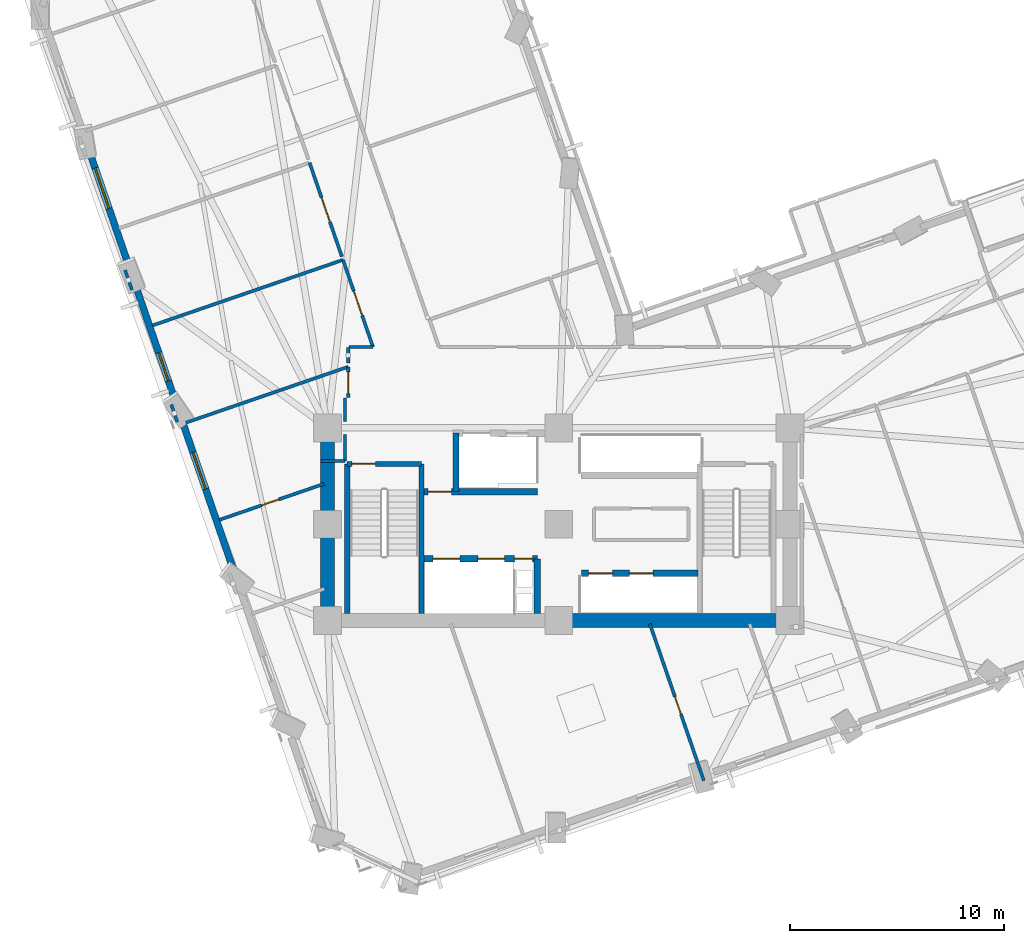
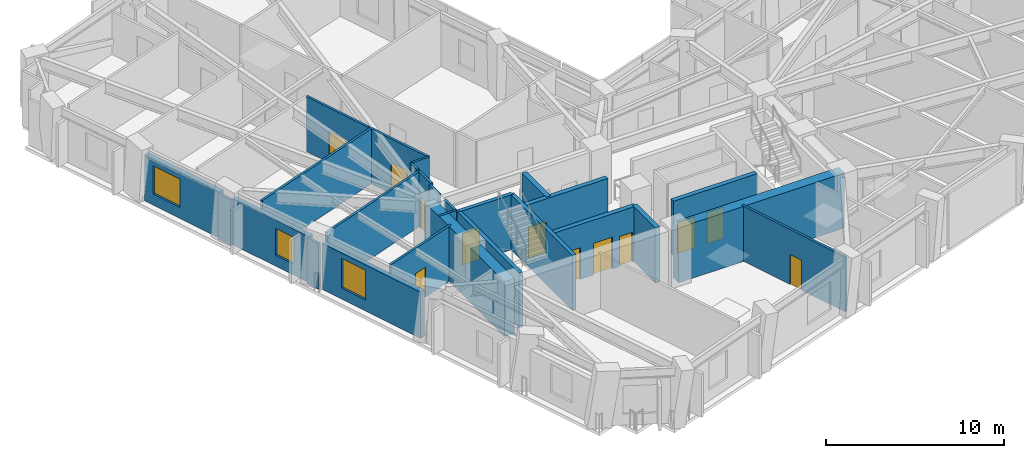
# One storey, part 7 of 15: 27 walls, 12 doors, 3 windows, 15 openings.
"""IFC4 building model written with IfcOpenShell, lengths in metres."""

from ifc_helpers import new_model, si_unit, direction, frame, frame_2d, origin, place, context, subcontext, project, spatial, rectangle, extrude, material, layer, layer_set, type_object, element, fill, save


model = new_model("IFC4")

# Units and contexts
model_context = context("Model", 3, precision=1e-05, world=origin(), true_north=direction((0.0, 1.0)))
body_context = subcontext(model_context, "Body", "Model", "MODEL_VIEW")
ifc_project = project(units=[si_unit("LENGTHUNIT", "METRE"), si_unit("AREAUNIT", "SQUARE_METRE"), si_unit("VOLUMEUNIT", "CUBIC_METRE"), si_unit("PLANEANGLEUNIT", "RADIAN"), si_unit("MASSUNIT", "GRAM", prefix="KILO")], contexts=[model_context])

# Site, building, storey
site_placement = place(None, origin())
site = spatial("IfcSite", under=ifc_project, at=site_placement, CompositionType="ELEMENT")
building_placement = place(site_placement, origin())
building = spatial("IfcBuilding", under=site, at=building_placement, Name="Gaonmaruhae Medical Tower", CompositionType="ELEMENT")
storey_placement = place(building_placement, frame((0.0, 0.0, 104.39990234375)))
storey = spatial("IfcBuildingStorey", under=building, at=storey_placement, Name="L24", CompositionType="ELEMENT", Elevation=104.39990234375)

# Walls
ifc_material_1 = material(Name="Concrete C60/75", Category="concrete")
ifc_layer_1 = layer(ifc_material_1, 0.64990234375)
ifc_layer_set_1 = layer_set([ifc_layer_1], Name="Concrete C60/75")
wall_type_1 = type_object("IfcWallType", Name="CW-650 Zone 2 Core Shear Wall", PredefinedType="SHEAR", material=ifc_layer_set_1)
wall_1_placement = place(storey_placement, frame((24.800048828125, 7.800048828125, 0.0), z_axis=(0.0, 0.0, 1.0), x_axis=(1.0, 0.0, 0.0)))
element("IfcWall", 1, at=wall_1_placement, inside=storey, type_object=wall_type_1, Name="L24 Core Shear Wall CSW-S2", PredefinedType="SHEAR", context=body_context, shape_type="SweptSolid", body=[
    extrude(rectangle(XDim=10.800048828125, YDim=0.64990234375, at=frame_2d((5.39990234375, 0.0))), origin(), (0.0, 0.0, 1.0), 3.780029296875),
])
wall_2_placement = place(storey_placement, frame((14.0, 16.800048828125, 0.0), z_axis=(0.0, 0.0, 1.0), x_axis=(0.0, -1.0, 0.0)))
element("IfcWall", 2, at=wall_2_placement, inside=storey, type_object=wall_type_1, Name="L24 Core Shear Wall CSW-W1", PredefinedType="SHEAR", context=body_context, shape_type="SweptSolid", body=[
    extrude(rectangle(XDim=9.0, YDim=0.64990234375, at=frame_2d((4.5, 0.0))), origin(), (0.0, 0.0, 1.0), 3.780029296875),
])

# Wall, opening, window
ifc_material_2 = material(Name="Precast concrete C45/55", Category="concrete")
ifc_layer_2 = layer(ifc_material_2, 0.320068359375)
ifc_layer_set_2 = layer_set([ifc_layer_2], Name="Precast concrete C45/55")
wall_type_2 = type_object("IfcWallType", Name="EW-320 Lower Precast Masonry-Frame Facade Wall", PredefinedType="SOLIDWALL", material=ifc_layer_set_2)
wall_3_placement = place(storey_placement, frame((4.760009765625, 24.243408203125, 0.0), z_axis=(0.0, 0.0, 1.0), x_axis=(-0.325569525051, 0.945518103665, 0.0)))
wall_3 = element("IfcWall", 3, at=wall_3_placement, inside=storey, type_object=wall_type_2, Name="L24 Precast Masonry-Frame Wall W02-W03", PredefinedType="SOLIDWALL", context=body_context, shape_type="SweptSolid", body=[
    extrude(rectangle(XDim=5.6279296875, YDim=0.320068359375, at=frame_2d((2.81396484375, 0.0))), origin(), (0.0, 0.0, 1.0), 3.1650390625),
])
opening_1_placement = place(wall_3_placement, frame((2.96337890625, 0.0, 0.75)))
opening_1 = element("IfcOpeningElement", 4, at=opening_1_placement, cuts=wall_3, Name="Opening WN-02", PredefinedType="OPENING", context=body_context, shape_type="SweptSolid", body=[
    extrude(rectangle(XDim=2.0, YDim=1.949951171875, at=frame_2d((1.0, 0.97509765625))), frame((0.0, 0.169921875, 0.0), z_axis=(0.0, -1.0, 0.0), x_axis=(1.0, 0.0, 0.0)), (0.0, 0.0, 1.0), 0.340087890625),
])
ifc_material_3 = material(Name="Anodised aluminium and Low-E double glazing", Category="aluminium")
window_type_1 = type_object("IfcWindowType", Name="WN-02 Double-Bed Ward Punched Window 2000x1950", PartitioningType="SINGLE_PANEL", PredefinedType="WINDOW", material=ifc_material_3)
window_1_placement = place(opening_1_placement, origin())
window_1 = element("IfcWindow", 5, at=window_1_placement, inside=storey, type_object=window_type_1, Name="L24 Modular Facade Window W02", OverallHeight=1.949951171875, OverallWidth=2.0, PartitioningType="SINGLE_PANEL", PredefinedType="WINDOW", context=body_context, shape_type="SweptSolid", body=[
    extrude(rectangle(XDim=2.0, YDim=1.949951171875, at=frame_2d((1.0, 0.97509765625))), frame((0.0, 0.030029296875, 0.0), z_axis=(0.0, -1.0, 0.0), x_axis=(1.0, 0.0, 0.0)), (0.0, 0.0, 1.0), 0.06005859375),
])
fill(opening_1, window_1)

wall_4_placement = place(storey_placement, frame((6.92333984375, 17.960693359375, 0.0), z_axis=(0.0, 0.0, 1.0), x_axis=(-0.325590670388, 0.945510822443, 0.0)))
wall_4 = element("IfcWall", 6, at=wall_4_placement, inside=storey, type_object=wall_type_2, Name="L24 Precast Masonry-Frame Wall W03-W04", PredefinedType="SOLIDWALL", context=body_context, shape_type="SweptSolid", body=[
    extrude(rectangle(XDim=5.662109375, YDim=0.320068359375, at=frame_2d((2.8310546875, 0.0))), origin(), (0.0, 0.0, 1.0), 3.1650390625),
])
opening_2_placement = place(wall_4_placement, frame((1.0859375, 0.0, 0.75)))
opening_2 = element("IfcOpeningElement", 7, at=opening_2_placement, cuts=wall_4, Name="Opening WN-03", PredefinedType="OPENING", context=body_context, shape_type="SweptSolid", body=[
    extrude(rectangle(XDim=1.39990234375, YDim=1.85009765625, at=frame_2d((0.699951171875, 0.925048828125))), frame((0.0, 0.169921875, 0.0), z_axis=(0.0, -1.0, 0.0), x_axis=(1.0, 0.0, 0.0)), (0.0, 0.0, 1.0), 0.340087890625),
])
window_type_2 = type_object("IfcWindowType", Name="WN-03 Isolation Ward Punched Window 1400x1850", PartitioningType="SINGLE_PANEL", PredefinedType="WINDOW", material=ifc_material_3)
window_2_placement = place(opening_2_placement, origin())
window_2 = element("IfcWindow", 8, at=window_2_placement, inside=storey, type_object=window_type_2, Name="L24 Modular Facade Window W03", OverallHeight=1.85009765625, OverallWidth=1.39990234375, PartitioningType="SINGLE_PANEL", PredefinedType="WINDOW", context=body_context, shape_type="SweptSolid", body=[
    extrude(rectangle(XDim=1.39990234375, YDim=1.85009765625, at=frame_2d((0.699951171875, 0.925048828125))), frame((0.0, 0.030029296875, 0.0), z_axis=(0.0, -1.0, 0.0), x_axis=(1.0, 0.0, 0.0)), (0.0, 0.0, 1.0), 0.06005859375),
])
fill(opening_2, window_2)

wall_5_placement = place(storey_placement, frame((9.642578125, 10.0634765625, 0.0), z_axis=(0.0, 0.0, 1.0), x_axis=(-0.325566416209, 0.945519174124, 0.0)))
wall_5 = element("IfcWall", 9, at=wall_5_placement, inside=storey, type_object=wall_type_2, Name="L24 Precast Masonry-Frame Wall W04-W05", PredefinedType="SOLIDWALL", context=body_context, shape_type="SweptSolid", body=[
    extrude(rectangle(XDim=7.360107421875, YDim=0.320068359375, at=frame_2d((3.68017578125, 0.0))), origin(), (0.0, 0.0, 1.0), 3.1650390625),
])
opening_3_placement = place(wall_5_placement, frame((4.114013671875, 0.0, 0.75)))
opening_3 = element("IfcOpeningElement", 10, at=opening_3_placement, cuts=wall_5, Name="Opening WN-04", PredefinedType="OPENING", context=body_context, shape_type="SweptSolid", body=[
    extrude(rectangle(XDim=1.800048828125, YDim=2.050048828125, at=frame_2d((0.89990234375, 1.02490234375))), frame((0.0, 0.169921875, 0.0), z_axis=(0.0, -1.0, 0.0), x_axis=(1.0, 0.0, 0.0)), (0.0, 0.0, 1.0), 0.340087890625),
])
window_type_3 = type_object("IfcWindowType", Name="WN-04 Clinic & Consult Punched Window 1800x2050", PartitioningType="SINGLE_PANEL", PredefinedType="WINDOW", material=ifc_material_3)
window_3_placement = place(opening_3_placement, origin())
window_3 = element("IfcWindow", 11, at=window_3_placement, inside=storey, type_object=window_type_3, Name="L24 Modular Facade Window W04", OverallHeight=2.050048828125, OverallWidth=1.800048828125, PartitioningType="SINGLE_PANEL", PredefinedType="WINDOW", context=body_context, shape_type="SweptSolid", body=[
    extrude(rectangle(XDim=1.800048828125, YDim=2.050048828125, at=frame_2d((0.89990234375, 1.02490234375))), frame((0.0, 0.030029296875, 0.0), z_axis=(0.0, -1.0, 0.0), x_axis=(1.0, 0.0, 0.0)), (0.0, 0.0, 1.0), 0.06005859375),
])
fill(opening_3, window_3)

# Wall, opening, door
ifc_material_4 = material(Name="Gypsum board partition", Category="gypsum")
ifc_layer_3 = layer(ifc_material_4, 0.14990234375)
ifc_layer_set_3 = layer_set([ifc_layer_3], Name="Gypsum board partition")
wall_type_3 = type_object("IfcWallType", Name="PW-150 Rated Clinical Corridor Partition", PredefinedType="PARTITIONING", material=ifc_layer_set_3)
wall_6_placement = place(storey_placement, frame((29.051025390625, 7.64892578125, 0.0), z_axis=(0.0, 0.0, 1.0), x_axis=(0.325547594616, -0.94552565467, 0.0)))
wall_6 = element("IfcWall", 12, at=wall_6_placement, inside=storey, type_object=wall_type_3, Name="L24 Interior Partition L24-SUP04-9", PredefinedType="PARTITIONING", context=body_context, shape_type="SweptSolid", body=[
    extrude(rectangle(XDim=7.743896484375, YDim=0.14990234375, at=frame_2d((3.8720703125, 0.0))), origin(), (0.0, 0.0, 1.0), 3.780029296875),
])
opening_4_placement = place(wall_6_placement, frame((3.6005859375, 0.0, 0.0)))
opening_4 = element("IfcOpeningElement", 13, at=opening_4_placement, cuts=wall_6, Name="Opening AD-01", PredefinedType="OPENING", context=body_context, shape_type="SweptSolid", body=[
    extrude(rectangle(XDim=0.860107421875, YDim=2.06005859375, at=frame_2d((0.43017578125, 1.030029296875))), frame((0.0, 0.0849609375, 0.0), z_axis=(0.0, -1.0, 0.0), x_axis=(1.0, 0.0, 0.0)), (0.0, 0.0, 1.0), 0.169921875),
])
ifc_material_5 = material(Name="Powder-coated steel access door", Category="steel")
door_type_1 = type_object("IfcDoorType", Name="AD-01 Riser & Closet Access Fire Door 860x2060", OperationType="NOTDEFINED", PredefinedType="DOOR", material=ifc_material_5)
door_1_placement = place(opening_4_placement, origin())
door_1 = element("IfcDoor", 14, at=door_1_placement, inside=storey, type_object=door_type_1, Name="L24 Clinical Biomedical Charting Office Sliding Door", OperationType="SLIDING_TO_LEFT", OverallHeight=2.06005859375, OverallWidth=0.860107421875, PredefinedType="DOOR", context=body_context, shape_type="SweptSolid", body=[
    extrude(rectangle(XDim=0.860107421875, YDim=2.06005859375, at=frame_2d((0.43017578125, 1.030029296875))), frame((0.0, 0.02490234375, 0.0), z_axis=(0.0, -1.0, 0.0), x_axis=(1.0, 0.0, 0.0)), (0.0, 0.0, 1.0), 0.050048828125),
])
fill(opening_4, door_1)

wall_7_placement = place(storey_placement, frame((8.945068359375, 12.5029296875, 0.0), z_axis=(0.0, 0.0, 1.0), x_axis=(0.945554923034, 0.325462574693, 0.0)))
wall_7 = element("IfcWall", 15, at=wall_7_placement, inside=storey, type_object=wall_type_3, Name="L24 Interior Partition L24-WOF12-34", PredefinedType="PARTITIONING", context=body_context, shape_type="SweptSolid", body=[
    extrude(rectangle(XDim=5.1865234375, YDim=0.14990234375, at=frame_2d((2.59326171875, 0.0))), origin(), (0.0, 0.0, 1.0), 3.780029296875),
])
opening_5_placement = place(wall_7_placement, frame((2.08447265625, 0.0, 0.0)))
opening_5 = element("IfcOpeningElement", 16, at=opening_5_placement, cuts=wall_7, Name="Opening AD-01", PredefinedType="OPENING", context=body_context, shape_type="SweptSolid", body=[
    extrude(rectangle(XDim=0.860107421875, YDim=2.06005859375, at=frame_2d((0.43017578125, 1.030029296875))), frame((0.0, 0.0849609375, 0.0), z_axis=(0.0, -1.0, 0.0), x_axis=(1.0, 0.0, 0.0)), (0.0, 0.0, 1.0), 0.169921875),
])
door_2_placement = place(opening_5_placement, origin())
door_2 = element("IfcDoor", 17, at=door_2_placement, inside=storey, type_object=door_type_1, Name="L24 Ward Physician Reporting Office Sliding Door", OperationType="SLIDING_TO_LEFT", OverallHeight=2.06005859375, OverallWidth=0.860107421875, PredefinedType="DOOR", context=body_context, shape_type="SweptSolid", body=[
    extrude(rectangle(XDim=0.860107421875, YDim=2.06005859375, at=frame_2d((0.43017578125, 1.030029296875))), frame((0.0, 0.02490234375, 0.0), z_axis=(0.0, -1.0, 0.0), x_axis=(1.0, 0.0, 0.0)), (0.0, 0.0, 1.0), 0.050048828125),
])
fill(opening_5, door_2)

# Walls
wall_8_placement = place(storey_placement, frame((14.820068359375, 18.199951171875, 0.0), z_axis=(0.0, 0.0, 1.0), x_axis=(0.0, -1.0, 0.0)))
element("IfcWall", 18, at=wall_8_placement, inside=storey, type_object=wall_type_3, Name="L24 Interior Partition L24-WCL13-36", PredefinedType="PARTITIONING", context=body_context, shape_type="SweptSolid", body=[
    extrude(rectangle(XDim=1.091064453125, YDim=0.14990234375, at=frame_2d((0.54541015625, 0.0))), origin(), (0.0, 0.0, 1.0), 3.780029296875),
])
wall_9_placement = place(storey_placement, frame((14.820068359375, 16.490966796875, 0.0), z_axis=(0.0, 0.0, 1.0), x_axis=(0.0, -1.0, 0.0)))
element("IfcWall", 19, at=wall_9_placement, inside=storey, type_object=wall_type_3, Name="L24 Interior Partition L24-WCL13-37", PredefinedType="PARTITIONING", context=body_context, shape_type="SweptSolid", body=[
    extrude(rectangle(XDim=1.23095703125, YDim=0.14990234375, at=frame_2d((0.615478515625, 0.0))), origin(), (0.0, 0.0, 1.0), 3.780029296875),
])
wall_10_placement = place(storey_placement, frame((14.820068359375, 15.260009765625, 0.0), z_axis=(0.0, 0.0, 1.0), x_axis=(-1.0, 0.0, 0.0)))
element("IfcWall", 20, at=wall_10_placement, inside=storey, type_object=wall_type_3, Name="L24 Interior Partition L24-WCL13-38", PredefinedType="PARTITIONING", context=body_context, shape_type="SweptSolid", body=[
    extrude(rectangle(XDim=1.1201171875, YDim=0.14990234375, at=frame_2d((0.56005859375, 0.0))), origin(), (0.0, 0.0, 1.0), 3.780029296875),
])
wall_11_placement = place(storey_placement, frame((7.382080078125, 17.0419921875, 0.0), z_axis=(0.0, 0.0, 1.0), x_axis=(0.945543879327, 0.325494657816, 0.0)))
element("IfcWall", 21, at=wall_11_placement, inside=storey, type_object=wall_type_3, Name="L24 Interior Partition L24-WCL13-39", PredefinedType="PARTITIONING", context=body_context, shape_type="SweptSolid", body=[
    extrude(rectangle(XDim=8.02490234375, YDim=0.14990234375, at=frame_2d((4.012451171875, 0.0))), origin(), (0.0, 0.0, 1.0), 3.780029296875),
])

# Wall, opening, door
wall_12_placement = place(storey_placement, frame((14.969970703125, 19.654052734375, 0.0), z_axis=(0.0, 0.0, 1.0), x_axis=(0.0, -1.0, 0.0)))
wall_12 = element("IfcWall", 22, at=wall_12_placement, inside=storey, type_object=wall_type_3, Name="L24 Interior Partition L24-WCL13-40", PredefinedType="PARTITIONING", context=body_context, shape_type="SweptSolid", body=[
    extrude(rectangle(XDim=1.424072265625, YDim=0.14990234375, at=frame_2d((0.7119140625, 0.0))), origin(), (0.0, 0.0, 1.0), 3.780029296875),
])
opening_6_placement = place(wall_12_placement, frame((0.243896484375, 0.0, 0.0)))
opening_6 = element("IfcOpeningElement", 23, at=opening_6_placement, cuts=wall_12, Name="Opening CD-01", PredefinedType="OPENING", context=body_context, shape_type="SweptSolid", body=[
    extrude(rectangle(XDim=1.0, YDim=2.1201171875, at=frame_2d((0.5, 1.06005859375))), frame((0.0, 0.0849609375, 0.0), z_axis=(0.0, -1.0, 0.0), x_axis=(1.0, 0.0, 0.0)), (0.0, 0.0, 1.0), 0.169921875),
])
ifc_material_6 = material(Name="Antimicrobial laminate timber fire door", Category="wood")
door_type_2 = type_object("IfcDoorType", Name="CD-01 Consultation & Physician Office Door 1000x2120", OperationType="NOTDEFINED", PredefinedType="DOOR", material=ifc_material_6)
door_3_placement = place(opening_6_placement, origin())
door_3 = element("IfcDoor", 24, at=door_3_placement, inside=storey, type_object=door_type_2, Name="L24 Specialist Consultation Office Sliding Door", OperationType="SLIDING_TO_LEFT", OverallHeight=2.1201171875, OverallWidth=1.0, PredefinedType="DOOR", context=body_context, shape_type="SweptSolid", body=[
    extrude(rectangle(XDim=1.0, YDim=2.1201171875, at=frame_2d((0.5, 1.06005859375))), frame((0.0, 0.02490234375, 0.0), z_axis=(0.0, -1.0, 0.0), x_axis=(1.0, 0.0, 0.0)), (0.0, 0.0, 1.0), 0.050048828125),
])
fill(opening_6, door_3)

# Walls
wall_13_placement = place(storey_placement, frame((14.969970703125, 20.550048828125, 0.0), z_axis=(0.0, 0.0, 1.0), x_axis=(0.0, -1.0, 0.0)))
element("IfcWall", 25, at=wall_13_placement, inside=storey, type_object=wall_type_3, Name="L24 Interior Partition L24-WOF14-41", PredefinedType="PARTITIONING", context=body_context, shape_type="SweptSolid", body=[
    extrude(rectangle(XDim=0.72607421875, YDim=0.14990234375, at=frame_2d((0.363037109375, 0.0))), origin(), (0.0, 0.0, 1.0), 3.780029296875),
])
wall_14_placement = place(storey_placement, frame((6.985107421875, 17.073974609375, 0.0), z_axis=(0.0, 0.0, 1.0), x_axis=(-0.32500030124, 0.945713912446, 0.0)))
element("IfcWall", 26, at=wall_14_placement, inside=storey, type_object=wall_type_3, Name="L24 Interior Partition L24-WOF14-42", PredefinedType="PARTITIONING", context=body_context, shape_type="SweptSolid", body=[
    extrude(rectangle(XDim=0.858642578125, YDim=0.14990234375, at=frame_2d((0.42919921875, 0.0))), origin(), (0.0, 0.0, 1.0), 3.1650390625),
])
wall_15_placement = place(storey_placement, frame((5.820068359375, 21.580078125, 0.0), z_axis=(0.0, 0.0, 1.0), x_axis=(0.945525547677, 0.325547905368, 0.0)))
element("IfcWall", 27, at=wall_15_placement, inside=storey, type_object=wall_type_3, Name="L24 Interior Partition L24-WOF14-43", PredefinedType="PARTITIONING", context=body_context, shape_type="SweptSolid", body=[
    extrude(rectangle(XDim=9.414794921875, YDim=0.14990234375, at=frame_2d((4.70751953125, 0.0))), origin(), (0.0, 0.0, 1.0), 3.780029296875),
])

# Wall, opening, door
wall_16_placement = place(storey_placement, frame((14.721923828125, 24.64501953125, 0.0), z_axis=(0.0, 0.0, 1.0), x_axis=(0.325666906351, -0.945484566827, 0.0)))
wall_16 = element("IfcWall", 28, at=wall_16_placement, inside=storey, type_object=wall_type_3, Name="L24 Interior Partition L24-WOF14-44", PredefinedType="PARTITIONING", context=body_context, shape_type="SweptSolid", body=[
    extrude(rectangle(XDim=4.29931640625, YDim=0.14990234375, at=frame_2d((2.149658203125, 0.0))), origin(), (0.0, 0.0, 1.0), 3.780029296875),
])
opening_7_placement = place(wall_16_placement, frame((1.5498046875, 0.0, 0.0)))
opening_7 = element("IfcOpeningElement", 29, at=opening_7_placement, cuts=wall_16, Name="Opening CD-02", PredefinedType="OPENING", context=body_context, shape_type="SweptSolid", body=[
    extrude(rectangle(XDim=1.199951171875, YDim=2.14990234375, at=frame_2d((0.60009765625, 1.074951171875))), frame((0.0, 0.0849609375, 0.0), z_axis=(0.0, -1.0, 0.0), x_axis=(1.0, 0.0, 0.0)), (0.0, 0.0, 1.0), 0.169921875),
])
door_type_3 = type_object("IfcDoorType", Name="CD-02 Clinical Treatment & Procedure Door 1200x2150", OperationType="NOTDEFINED", PredefinedType="DOOR", material=ifc_material_6)
door_4_placement = place(opening_7_placement, origin())
door_4 = element("IfcDoor", 30, at=door_4_placement, inside=storey, type_object=door_type_3, Name="L24 Ward Physician Reporting Office Door", OperationType="SINGLE_SWING_LEFT", OverallHeight=2.14990234375, OverallWidth=1.199951171875, PredefinedType="DOOR", context=body_context, shape_type="SweptSolid", body=[
    extrude(rectangle(XDim=1.199951171875, YDim=2.14990234375, at=frame_2d((0.60009765625, 1.074951171875))), frame((0.0, 0.02490234375, 0.0), z_axis=(0.0, -1.0, 0.0), x_axis=(1.0, 0.0, 0.0)), (0.0, 0.0, 1.0), 0.050048828125),
])
fill(opening_7, door_4)

# Wall
wall_17_placement = place(storey_placement, frame((16.1220703125, 20.580078125, 0.0), z_axis=(0.0, 0.0, 1.0), x_axis=(-1.0, 0.0, 0.0)))
element("IfcWall", 31, at=wall_17_placement, inside=storey, type_object=wall_type_3, Name="L24 Interior Partition L24-WOF14-45", PredefinedType="PARTITIONING", context=body_context, shape_type="SweptSolid", body=[
    extrude(rectangle(XDim=1.125, YDim=0.14990234375, at=frame_2d((0.5625, 0.0))), origin(), (0.0, 0.0, 1.0), 3.780029296875),
])

# Wall, opening, door
wall_18_placement = place(storey_placement, frame((13.158935546875, 29.18408203125, 0.0), z_axis=(0.0, 0.0, 1.0), x_axis=(0.325651749866, -0.945489787258, 0.0)))
wall_18 = element("IfcWall", 32, at=wall_18_placement, inside=storey, type_object=wall_type_3, Name="L24 Interior Partition L24-WOF15-47", PredefinedType="PARTITIONING", context=body_context, shape_type="SweptSolid", body=[
    extrude(rectangle(XDim=4.639892578125, YDim=0.14990234375, at=frame_2d((2.31982421875, 0.0))), origin(), (0.0, 0.0, 1.0), 3.780029296875),
])
opening_8_placement = place(wall_18_placement, frame((1.719970703125, 0.0, 0.0)))
opening_8 = element("IfcOpeningElement", 33, at=opening_8_placement, cuts=wall_18, Name="Opening CD-02", PredefinedType="OPENING", context=body_context, shape_type="SweptSolid", body=[
    extrude(rectangle(XDim=1.199951171875, YDim=2.14990234375, at=frame_2d((0.60009765625, 1.074951171875))), frame((0.0, 0.0849609375, 0.0), z_axis=(0.0, -1.0, 0.0), x_axis=(1.0, 0.0, 0.0)), (0.0, 0.0, 1.0), 0.169921875),
])
door_5_placement = place(opening_8_placement, origin())
door_5 = element("IfcDoor", 34, at=door_5_placement, inside=storey, type_object=door_type_3, Name="L24 Ward Physician Reporting Office Door", OperationType="SINGLE_SWING_RIGHT", OverallHeight=2.14990234375, OverallWidth=1.199951171875, PredefinedType="DOOR", context=body_context, shape_type="SweptSolid", body=[
    extrude(rectangle(XDim=1.199951171875, YDim=2.14990234375, at=frame_2d((0.60009765625, 1.074951171875))), frame((0.0, 0.02490234375, 0.0), z_axis=(0.0, -1.0, 0.0), x_axis=(1.0, 0.0, 0.0)), (0.0, 0.0, 1.0), 0.050048828125),
])
fill(opening_8, door_5)

# Wall
wall_19_placement = place(storey_placement, frame((4.863037109375, 23.239990234375, 0.0), z_axis=(0.0, 0.0, 1.0), x_axis=(-0.325753286452, 0.945454809267, 0.0)))
element("IfcWall", 35, at=wall_19_placement, inside=storey, type_object=wall_type_3, Name="L24 Interior Partition L24-WOF15-48", PredefinedType="PARTITIONING", context=body_context, shape_type="SweptSolid", body=[
    extrude(rectangle(XDim=0.982666015625, YDim=0.14990234375, at=frame_2d((0.4912109375, 0.0))), origin(), (0.0, 0.0, 1.0), 3.1650390625),
])

# Wall, opening, door
ifc_material_7 = material(Name="Concrete C50/60", Category="concrete")
ifc_layer_4 = layer(ifc_material_7, 0.239990234375)
ifc_layer_set_4 = layer_set([ifc_layer_4], Name="Concrete C50/60")
wall_type_4 = type_object("IfcWallType", Name="SW-240 Dogleg Stair Tight Shaft Wall", PredefinedType="SOLIDWALL", material=ifc_layer_set_4)
wall_20_placement = place(storey_placement, frame((14.919921875, 15.1201171875, 0.0), z_axis=(0.0, 0.0, 1.0), x_axis=(1.0, 0.0, 0.0)))
wall_20 = element("IfcWall", 36, at=wall_20_placement, inside=storey, type_object=wall_type_4, Name="L24 ST-01 Stair Shaft Wall SHW-ST-01-N", PredefinedType="SOLIDWALL", context=body_context, shape_type="SweptSolid", body=[
    extrude(rectangle(XDim=3.4599609375, YDim=0.239990234375, at=frame_2d((1.72998046875, 0.0))), origin(), (0.0, 0.0, 1.0), 3.780029296875),
])
opening_9_placement = place(wall_20_placement, frame((0.219970703125, 0.0, 0.0)))
opening_9 = element("IfcOpeningElement", 37, at=opening_9_placement, cuts=wall_20, Name="Opening FD-01", PredefinedType="OPENING", context=body_context, shape_type="SweptSolid", body=[
    extrude(rectangle(XDim=1.10009765625, YDim=2.14990234375, at=frame_2d((0.550048828125, 1.074951171875))), frame((0.0, 0.1298828125, 0.0), z_axis=(0.0, -1.0, 0.0), x_axis=(1.0, 0.0, 0.0)), (0.0, 0.0, 1.0), 0.260009765625),
])
ifc_material_8 = material(Name="Powder-coated steel fire door", Category="steel")
door_type_4 = type_object("IfcDoorType", Name="FD-01 Escape Stair Protected Fire Door 1100x2150", OperationType="NOTDEFINED", PredefinedType="DOOR", material=ifc_material_8)
door_6_placement = place(opening_9_placement, origin())
door_6 = element("IfcDoor", 38, at=door_6_placement, inside=storey, type_object=door_type_4, Name="L24 ST-01 Protected Escape Stair Door", OperationType="SINGLE_SWING_RIGHT", OverallHeight=2.14990234375, OverallWidth=1.10009765625, PredefinedType="DOOR", context=body_context, shape_type="SweptSolid", body=[
    extrude(rectangle(XDim=1.10009765625, YDim=2.14990234375, at=frame_2d((0.550048828125, 1.074951171875))), frame((0.0, 0.02490234375, 0.0), z_axis=(0.0, -1.0, 0.0), x_axis=(1.0, 0.0, 0.0)), (0.0, 0.0, 1.0), 0.050048828125),
])
fill(opening_9, door_6)

# Walls
for number, where, z_axis, x_axis, name in (
    (39, (18.3798828125, 15.1201171875, 0.0), (0.0, 0.0, 1.0), (0.0, -1.0, 0.0), "L24 ST-01 Stair Shaft Wall SHW-ST-01-E"),
    (40, (14.919921875, 8.125, 0.0), (0.0, 0.0, 1.0), (0.0, 1.0, 0.0), "L24 ST-01 Stair Shaft Wall SHW-ST-01-W"),
):
    element("IfcWall", number, at=place(storey_placement, frame(where, z_axis=z_axis, x_axis=x_axis)), inside=storey, type_object=wall_type_4, Name=name, PredefinedType="SOLIDWALL", context=body_context, shape_type="SweptSolid", body=[
        extrude(rectangle(XDim=6.9951171875, YDim=0.239990234375, at=frame_2d((3.49755859375, 0.0))), origin(), (0.0, 0.0, 1.0), 3.780029296875),
    ])

# Wall, openings, doors
ifc_layer_5 = layer(ifc_material_7, 0.300048828125)
ifc_layer_set_5 = layer_set([ifc_layer_5], Name="Concrete C50/60")
wall_type_5 = type_object("IfcWallType", Name="SW-300 Stair & Lift Hoistway Shaft Wall", PredefinedType="SOLIDWALL", material=ifc_layer_set_5)
wall_21_placement = place(storey_placement, frame((18.5, 10.679931640625, 0.0), z_axis=(0.0, 0.0, 1.0), x_axis=(1.0, 0.0, 0.0)))
wall_21 = element("IfcWall", 41, at=wall_21_placement, inside=storey, type_object=wall_type_5, Name="L24 Shaft Enclosure Wall SHW-FFN", PredefinedType="SOLIDWALL", context=body_context, shape_type="SweptSolid", body=[
    extrude(rectangle(XDim=5.300048828125, YDim=0.300048828125, at=frame_2d((2.64990234375, 0.0))), origin(), (0.0, 0.0, 1.0), 3.780029296875),
])
opening_10_placement = place(wall_21_placement, frame((4.219970703125, 0.0, 0.0)))
opening_10 = element("IfcOpeningElement", 42, at=opening_10_placement, cuts=wall_21, Name="Opening AD-01", PredefinedType="OPENING", context=body_context, shape_type="SweptSolid", body=[
    extrude(rectangle(XDim=0.860107421875, YDim=2.06005859375, at=frame_2d((0.43017578125, 1.030029296875))), frame((0.0, 0.16015625, 0.0), z_axis=(0.0, -1.0, 0.0), x_axis=(1.0, 0.0, 0.0)), (0.0, 0.0, 1.0), 0.320068359375),
])
opening_11_placement = place(wall_21_placement, frame((0.425048828125, 0.0, 0.0)))
opening_11 = element("IfcOpeningElement", 43, at=opening_11_placement, cuts=wall_21, Name="Opening LD-F1", PredefinedType="OPENING", context=body_context, shape_type="SweptSolid", body=[
    extrude(rectangle(XDim=1.25, YDim=2.179931640625, at=frame_2d((0.625, 1.08984375))), frame((0.0, 0.16015625, 0.0), z_axis=(0.0, -1.0, 0.0), x_axis=(1.0, 0.0, 0.0)), (0.0, 0.0, 1.0), 0.320068359375),
])
opening_12_placement = place(wall_21_placement, frame((2.52490234375, 0.0, 0.0)))
opening_12 = element("IfcOpeningElement", 44, at=opening_12_placement, cuts=wall_21, Name="Opening LD-F1", PredefinedType="OPENING", context=body_context, shape_type="SweptSolid", body=[
    extrude(rectangle(XDim=1.25, YDim=2.179931640625, at=frame_2d((0.625, 1.08984375))), frame((0.0, 0.16015625, 0.0), z_axis=(0.0, -1.0, 0.0), x_axis=(1.0, 0.0, 0.0)), (0.0, 0.0, 1.0), 0.320068359375),
])
door_7_placement = place(opening_10_placement, origin())
door_7 = element("IfcDoor", 45, at=door_7_placement, inside=storey, type_object=door_type_1, Name="L24 Medical Gas and MEP Riser Access Door", OperationType="SINGLE_SWING_RIGHT", OverallHeight=2.06005859375, OverallWidth=0.860107421875, PredefinedType="DOOR", context=body_context, shape_type="SweptSolid", body=[
    extrude(rectangle(XDim=0.860107421875, YDim=2.06005859375, at=frame_2d((0.43017578125, 1.030029296875))), frame((0.0, 0.02490234375, 0.0), z_axis=(0.0, -1.0, 0.0), x_axis=(1.0, 0.0, 0.0)), (0.0, 0.0, 1.0), 0.050048828125),
])
fill(opening_10, door_7)
ifc_material_9 = material(Name="Brushed stainless steel 316L landing door", Category="steel")
door_type_5 = type_object("IfcDoorType", Name="LD-F1 Firefighting & Bed Lift Sliding Landing Door 1250x2180", OperationType="NOTDEFINED", PredefinedType="DOOR", material=ifc_material_9)
door_8_placement = place(opening_11_placement, origin())
door_8 = element("IfcDoor", 46, at=door_8_placement, inside=storey, type_object=door_type_5, Name="L24 Firefighting Lift Landing Door FFL-01", OperationType="DOUBLE_DOOR_SLIDING", OverallHeight=2.179931640625, OverallWidth=1.25, PredefinedType="DOOR", context=body_context, shape_type="SweptSolid", body=[
    extrude(rectangle(XDim=1.25, YDim=2.179931640625, at=frame_2d((0.625, 1.08984375))), frame((0.0, 0.02490234375, 0.0), z_axis=(0.0, -1.0, 0.0), x_axis=(1.0, 0.0, 0.0)), (0.0, 0.0, 1.0), 0.050048828125),
])
fill(opening_11, door_8)
door_9_placement = place(opening_12_placement, origin())
door_9 = element("IfcDoor", 47, at=door_9_placement, inside=storey, type_object=door_type_5, Name="L24 Firefighting Lift Landing Door FFL-02", OperationType="DOUBLE_DOOR_SLIDING", OverallHeight=2.179931640625, OverallWidth=1.25, PredefinedType="DOOR", context=body_context, shape_type="SweptSolid", body=[
    extrude(rectangle(XDim=1.25, YDim=2.179931640625, at=frame_2d((0.625, 1.08984375))), frame((0.0, 0.02490234375, 0.0), z_axis=(0.0, -1.0, 0.0), x_axis=(1.0, 0.0, 0.0)), (0.0, 0.0, 1.0), 0.050048828125),
])
fill(opening_12, door_9)

# Wall, opening, door
wall_22_placement = place(storey_placement, frame((18.5, 13.820068359375, 0.0), z_axis=(0.0, 0.0, 1.0), x_axis=(1.0, 0.0, 0.0)))
wall_22 = element("IfcWall", 48, at=wall_22_placement, inside=storey, type_object=wall_type_5, Name="L24 Shaft Enclosure Wall SHW-FFL", PredefinedType="SOLIDWALL", context=body_context, shape_type="SweptSolid", body=[
    extrude(rectangle(XDim=5.300048828125, YDim=0.300048828125, at=frame_2d((2.64990234375, 0.0))), origin(), (0.0, 0.0, 1.0), 3.780029296875),
])
opening_13_placement = place(wall_22_placement, frame((0.179931640625, 0.0, 0.0)))
opening_13 = element("IfcOpeningElement", 49, at=opening_13_placement, cuts=wall_22, Name="Opening FD-01", PredefinedType="OPENING", context=body_context, shape_type="SweptSolid", body=[
    extrude(rectangle(XDim=1.10009765625, YDim=2.14990234375, at=frame_2d((0.550048828125, 1.074951171875))), frame((0.0, 0.16015625, 0.0), z_axis=(0.0, -1.0, 0.0), x_axis=(1.0, 0.0, 0.0)), (0.0, 0.0, 1.0), 0.320068359375),
])
door_10_placement = place(opening_13_placement, origin())
door_10 = element("IfcDoor", 50, at=door_10_placement, inside=storey, type_object=door_type_4, Name="L24 Firefighting Lobby Smoke Door", OperationType="SINGLE_SWING_LEFT", OverallHeight=2.14990234375, OverallWidth=1.10009765625, PredefinedType="DOOR", context=body_context, shape_type="SweptSolid", body=[
    extrude(rectangle(XDim=1.10009765625, YDim=2.14990234375, at=frame_2d((0.550048828125, 1.074951171875))), frame((0.0, 0.02490234375, 0.0), z_axis=(0.0, -1.0, 0.0), x_axis=(1.0, 0.0, 0.0)), (0.0, 0.0, 1.0), 0.050048828125),
])
fill(opening_13, door_10)

# Walls
wall_23_placement = place(storey_placement, frame((23.800048828125, 8.125, 0.0), z_axis=(0.0, 0.0, 1.0), x_axis=(0.0, 1.0, 0.0)))
element("IfcWall", 51, at=wall_23_placement, inside=storey, type_object=wall_type_5, Name="L24 Shaft Enclosure Wall SHW-FFE", PredefinedType="SOLIDWALL", context=body_context, shape_type="SweptSolid", body=[
    extrude(rectangle(XDim=2.554931640625, YDim=0.300048828125, at=frame_2d((1.27734375, 0.0))), origin(), (0.0, 0.0, 1.0), 3.780029296875),
])
wall_24_placement = place(storey_placement, frame((20.0, 13.820068359375, 0.0), z_axis=(0.0, 0.0, 1.0), x_axis=(0.0, 1.0, 0.0)))
element("IfcWall", 52, at=wall_24_placement, inside=storey, type_object=wall_type_5, Name="L24 Shaft Enclosure Wall SHW-BDW", PredefinedType="SOLIDWALL", context=body_context, shape_type="SweptSolid", body=[
    extrude(rectangle(XDim=2.72998046875, YDim=0.300048828125, at=frame_2d((1.364990234375, 0.0))), origin(), (0.0, 0.0, 1.0), 3.780029296875),
])

# Wall, openings, doors
wall_25_placement = place(storey_placement, frame((25.85009765625, 10.02001953125, 0.0), z_axis=(0.0, 0.0, 1.0), x_axis=(1.0, 0.0, 0.0)))
wall_25 = element("IfcWall", 53, at=wall_25_placement, inside=storey, type_object=wall_type_5, Name="L24 Shaft Enclosure Wall SHW-PLS", PredefinedType="SOLIDWALL", context=body_context, shape_type="SweptSolid", body=[
    extrude(rectangle(XDim=5.449951171875, YDim=0.300048828125, at=frame_2d((2.72509765625, 0.0))), origin(), (0.0, 0.0, 1.0), 3.780029296875),
])
opening_14_placement = place(wall_25_placement, frame((0.340087890625, 0.0, 0.0)))
opening_14 = element("IfcOpeningElement", 54, at=opening_14_placement, cuts=wall_25, Name="Opening LD-P1", PredefinedType="OPENING", context=body_context, shape_type="SweptSolid", body=[
    extrude(rectangle(XDim=1.1201171875, YDim=2.14990234375, at=frame_2d((0.56005859375, 1.074951171875))), frame((0.0, 0.16015625, 0.0), z_axis=(0.0, -1.0, 0.0), x_axis=(1.0, 0.0, 0.0)), (0.0, 0.0, 1.0), 0.320068359375),
])
opening_15_placement = place(wall_25_placement, frame((2.239990234375, 0.0, 0.0)))
opening_15 = element("IfcOpeningElement", 55, at=opening_15_placement, cuts=wall_25, Name="Opening LD-P1", PredefinedType="OPENING", context=body_context, shape_type="SweptSolid", body=[
    extrude(rectangle(XDim=1.1201171875, YDim=2.14990234375, at=frame_2d((0.56005859375, 1.074951171875))), frame((0.0, 0.16015625, 0.0), z_axis=(0.0, -1.0, 0.0), x_axis=(1.0, 0.0, 0.0)), (0.0, 0.0, 1.0), 0.320068359375),
])
ifc_material_10 = material(Name="Brushed stainless steel 304 landing door", Category="steel")
door_type_6 = type_object("IfcDoorType", Name="LD-P1 Passenger Lift Sliding Landing Door 1120x2150", OperationType="NOTDEFINED", PredefinedType="DOOR", material=ifc_material_10)
door_11_placement = place(opening_14_placement, origin())
door_11 = element("IfcDoor", 56, at=door_11_placement, inside=storey, type_object=door_type_6, Name="L24 Passenger Lift Landing Door PL-L1", OperationType="DOUBLE_DOOR_SLIDING", OverallHeight=2.14990234375, OverallWidth=1.1201171875, PredefinedType="DOOR", context=body_context, shape_type="SweptSolid", body=[
    extrude(rectangle(XDim=1.1201171875, YDim=2.14990234375, at=frame_2d((0.56005859375, 1.074951171875))), frame((0.0, 0.02490234375, 0.0), z_axis=(0.0, -1.0, 0.0), x_axis=(1.0, 0.0, 0.0)), (0.0, 0.0, 1.0), 0.050048828125),
])
fill(opening_14, door_11)
door_12_placement = place(opening_15_placement, origin())
door_12 = element("IfcDoor", 57, at=door_12_placement, inside=storey, type_object=door_type_6, Name="L24 Passenger Lift Landing Door PL-L2", OperationType="DOUBLE_DOOR_SLIDING", OverallHeight=2.14990234375, OverallWidth=1.1201171875, PredefinedType="DOOR", context=body_context, shape_type="SweptSolid", body=[
    extrude(rectangle(XDim=1.1201171875, YDim=2.14990234375, at=frame_2d((0.56005859375, 1.074951171875))), frame((0.0, 0.02490234375, 0.0), z_axis=(0.0, -1.0, 0.0), x_axis=(1.0, 0.0, 0.0)), (0.0, 0.0, 1.0), 0.050048828125),
])
fill(opening_15, door_12)

save(model, "model.ifc")
